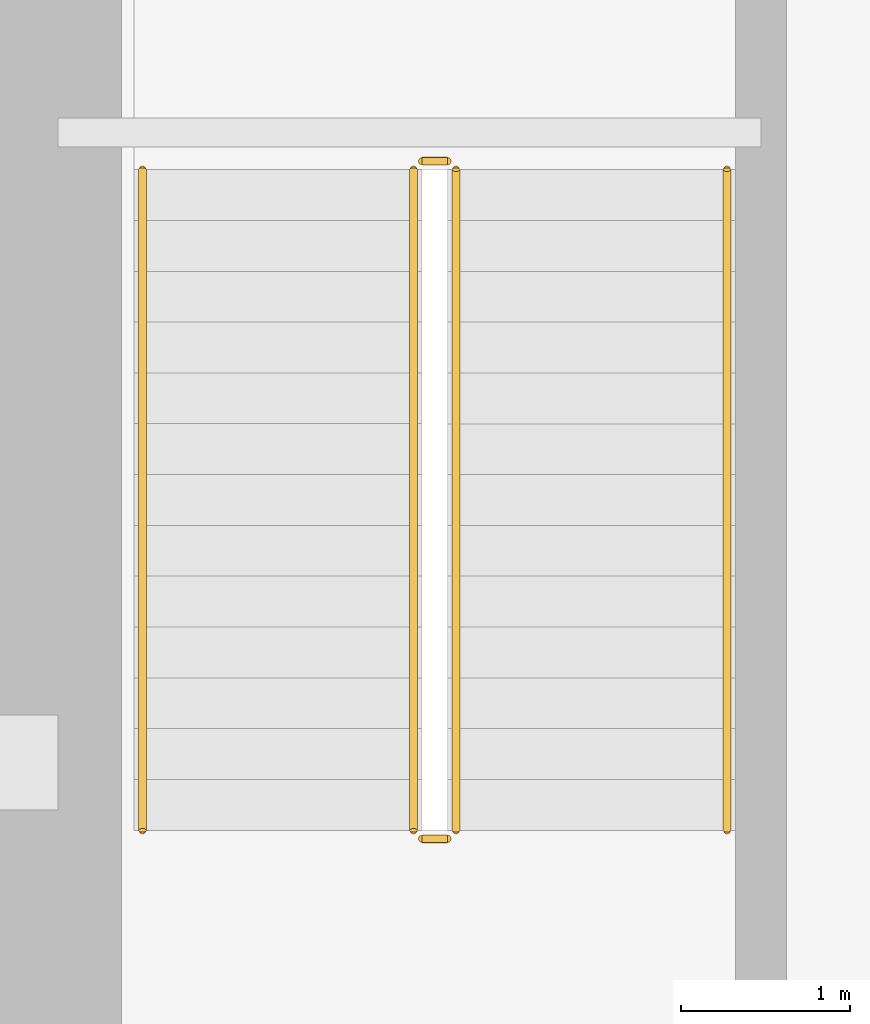
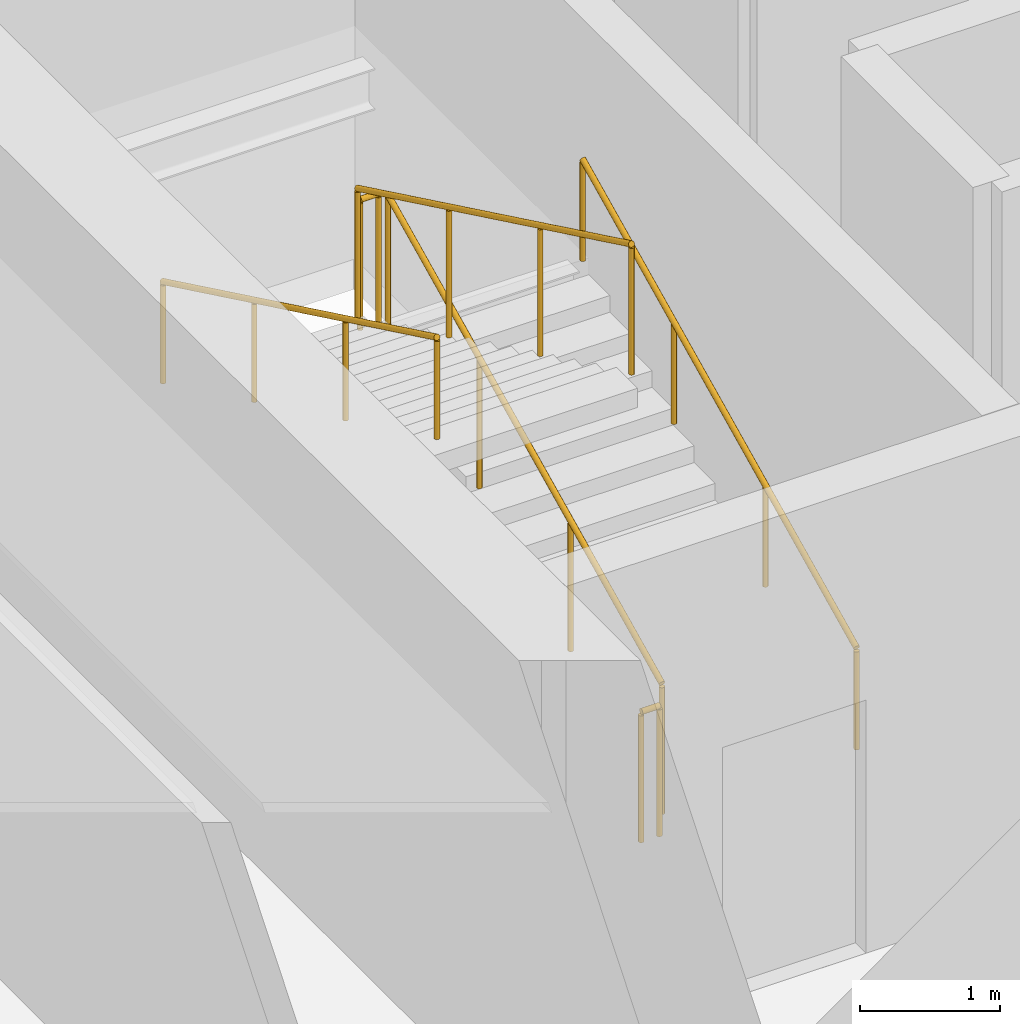
# One storey, part 19 of 28: 6 railings.
"""IFC4 building model written with IfcOpenShell, lengths in metres."""

from ifc_helpers import new_model, si_unit, direction, frame, origin, origin_2d, place, context, subcontext, project, spatial, circle, extrude, material, type_object, element, save


model = new_model("IFC4")

# Units and contexts
model_context = context("Model", 3, precision=1e-05, world=origin(), true_north=direction((0.0, 1.0)))
body_context = subcontext(model_context, "Body", "Model", "MODEL_VIEW")
ifc_project = project(units=[si_unit("LENGTHUNIT", "METRE"), si_unit("AREAUNIT", "SQUARE_METRE"), si_unit("VOLUMEUNIT", "CUBIC_METRE"), si_unit("PLANEANGLEUNIT", "RADIAN"), si_unit("MASSUNIT", "GRAM", prefix="KILO")], contexts=[model_context])

# Site, building, storey
site_placement = place(None, origin())
site = spatial("IfcSite", under=ifc_project, at=site_placement, CompositionType="ELEMENT")
building_placement = place(site_placement, origin())
building = spatial("IfcBuilding", under=site, at=building_placement, Name="Punatoya Terracotta Tower", CompositionType="ELEMENT")
storey_placement = place(building_placement, frame((0.0, 0.0, 93.0)))
storey = spatial("IfcBuildingStorey", under=building, at=storey_placement, Name="L21", CompositionType="ELEMENT", Elevation=93.0)

# Railings
ifc_material = material(Name="Steel S355", Category="steel")
railing_type_1 = type_object("IfcRailingType", Name="RLG-GRD-1150", PredefinedType="GUARDRAIL", material=ifc_material)
railing_1_placement = place(storey_placement, frame((-7.85009765625, -3.800048828125, 0.14453125)))
element("IfcRailing", 1, at=railing_1_placement, inside=storey, type_object=railing_type_1, Name="L21 ST-1 stair guard 1", PredefinedType="GUARDRAIL", context=body_context, shape_type="SweptSolid", body=[
    extrude(circle(Radius=0.02392578125, at=origin_2d()), frame((0.0, 0.0, 1.1259765625), z_axis=(0.0, 0.900773802044, 0.434288564841), x_axis=(-1.0, 0.0, 0.0)), (0.0, 0.0, 1.0), 4.329833984375),
    extrude(circle(Radius=0.02099609375, at=origin_2d()), origin(), (0.0, 0.0, 1.0), 1.101806640625),
    extrude(circle(Radius=0.02099609375, at=origin_2d()), frame((0.0, 1.300048828125, 0.626708984375)), (0.0, 0.0, 1.0), 1.101806640625),
    extrude(circle(Radius=0.02099609375, at=origin_2d()), frame((0.0, 2.60009765625, 1.253662109375)), (0.0, 0.0, 1.0), 1.101806640625),
    extrude(circle(Radius=0.02099609375, at=origin_2d()), frame((0.0, 3.900146484375, 1.88037109375)), (0.0, 0.0, 1.0), 1.101806640625),
])
railing_2_placement = place(storey_placement, frame((-7.89990234375, 0.14990234375, 2.02490234375)))
element("IfcRailing", 2, at=railing_2_placement, inside=storey, type_object=railing_type_1, Name="L21 ST-1 stair guard 2", PredefinedType="GUARDRAIL", context=body_context, shape_type="SweptSolid", body=[
    extrude(circle(Radius=0.02392578125, at=origin_2d()), frame((0.0, 0.0, 1.1259765625), z_axis=(-1.0, 0.0, 0.0), x_axis=(0.0, -1.0, 0.0)), (0.0, 0.0, 1.0), 0.150146484375),
    extrude(circle(Radius=0.02099609375, at=origin_2d()), origin(), (0.0, 0.0, 1.0), 1.101806640625),
    extrude(circle(Radius=0.02099609375, at=origin_2d()), frame((-0.150146484375, 0.0, 0.0)), (0.0, 0.0, 1.0), 1.101806640625),
])
railing_3_placement = place(storey_placement, frame((-8.10009765625, 0.10009765625, 2.169677734375)))
element("IfcRailing", 3, at=railing_3_placement, inside=storey, type_object=railing_type_1, Name="L21 ST-1 stair guard 3", PredefinedType="GUARDRAIL", context=body_context, shape_type="SweptSolid", body=[
    extrude(circle(Radius=0.02392578125, at=origin_2d()), frame((0.0, 0.0, 1.1259765625), z_axis=(0.0, -0.900773802044, 0.434288564841), x_axis=(1.0, 0.0, 0.0)), (0.0, 0.0, 1.0), 4.329833984375),
    extrude(circle(Radius=0.02099609375, at=origin_2d()), origin(), (0.0, 0.0, 1.0), 1.101806640625),
    extrude(circle(Radius=0.02099609375, at=origin_2d()), frame((0.0, -1.300048828125, 0.626708984375)), (0.0, 0.0, 1.0), 1.101806640625),
    extrude(circle(Radius=0.02099609375, at=origin_2d()), frame((0.0, -2.60009765625, 1.253662109375)), (0.0, 0.0, 1.0), 1.101806640625),
    extrude(circle(Radius=0.02099609375, at=origin_2d()), frame((0.0, -3.900146484375, 1.88037109375)), (0.0, 0.0, 1.0), 1.101806640625),
])
railing_4_placement = place(storey_placement, frame((-7.89990234375, -3.85009765625, 0.0)))
element("IfcRailing", 4, at=railing_4_placement, inside=storey, type_object=railing_type_1, Name="L21 ST-1 stair guard 4", PredefinedType="GUARDRAIL", context=body_context, shape_type="SweptSolid", body=[
    extrude(circle(Radius=0.02392578125, at=origin_2d()), frame((0.0, 0.0, 1.1259765625), z_axis=(-1.0, 0.0, 0.0), x_axis=(0.0, -1.0, 0.0)), (0.0, 0.0, 1.0), 0.150146484375),
    extrude(circle(Radius=0.02099609375, at=origin_2d()), origin(), (0.0, 0.0, 1.0), 1.101806640625),
    extrude(circle(Radius=0.02099609375, at=origin_2d()), frame((-0.150146484375, 0.0, 0.0)), (0.0, 0.0, 1.0), 1.101806640625),
])
railing_type_2 = type_object("IfcRailingType", Name="RLG-HND-900", PredefinedType="HANDRAIL", material=ifc_material)
railing_5_placement = place(storey_placement, frame((-6.25, -3.800048828125, 0.14453125)))
element("IfcRailing", 5, at=railing_5_placement, inside=storey, type_object=railing_type_2, Name="L21 ST-1 stair handrail 1", PredefinedType="HANDRAIL", context=body_context, shape_type="SweptSolid", body=[
    extrude(circle(Radius=0.02392578125, at=origin_2d()), frame((0.0, 0.0, 0.8759765625), z_axis=(0.0, 0.900773802044, 0.434288564841), x_axis=(-1.0, 0.0, 0.0)), (0.0, 0.0, 1.0), 4.329833984375),
    extrude(circle(Radius=0.02099609375, at=origin_2d()), origin(), (0.0, 0.0, 1.0), 0.851806640625),
    extrude(circle(Radius=0.02099609375, at=origin_2d()), frame((0.0, 1.300048828125, 0.626708984375)), (0.0, 0.0, 1.0), 0.851806640625),
    extrude(circle(Radius=0.02099609375, at=origin_2d()), frame((0.0, 2.60009765625, 1.253662109375)), (0.0, 0.0, 1.0), 0.851806640625),
    extrude(circle(Radius=0.02099609375, at=origin_2d()), frame((0.0, 3.900146484375, 1.88037109375)), (0.0, 0.0, 1.0), 0.851806640625),
])
railing_6_placement = place(storey_placement, frame((-9.699951171875, 0.10009765625, 2.169677734375)))
element("IfcRailing", 6, at=railing_6_placement, inside=storey, type_object=railing_type_2, Name="L21 ST-1 stair handrail 2", PredefinedType="HANDRAIL", context=body_context, shape_type="SweptSolid", body=[
    extrude(circle(Radius=0.02392578125, at=origin_2d()), frame((0.0, 0.0, 0.8759765625), z_axis=(0.0, -0.900773802044, 0.434288564841), x_axis=(1.0, 0.0, 0.0)), (0.0, 0.0, 1.0), 4.329833984375),
    extrude(circle(Radius=0.02099609375, at=origin_2d()), origin(), (0.0, 0.0, 1.0), 0.851806640625),
    extrude(circle(Radius=0.02099609375, at=origin_2d()), frame((0.0, -1.300048828125, 0.626708984375)), (0.0, 0.0, 1.0), 0.851806640625),
    extrude(circle(Radius=0.02099609375, at=origin_2d()), frame((0.0, -2.60009765625, 1.253662109375)), (0.0, 0.0, 1.0), 0.851806640625),
    extrude(circle(Radius=0.02099609375, at=origin_2d()), frame((0.0, -3.900146484375, 1.88037109375)), (0.0, 0.0, 1.0), 0.851806640625),
])

save(model, "model.ifc")
